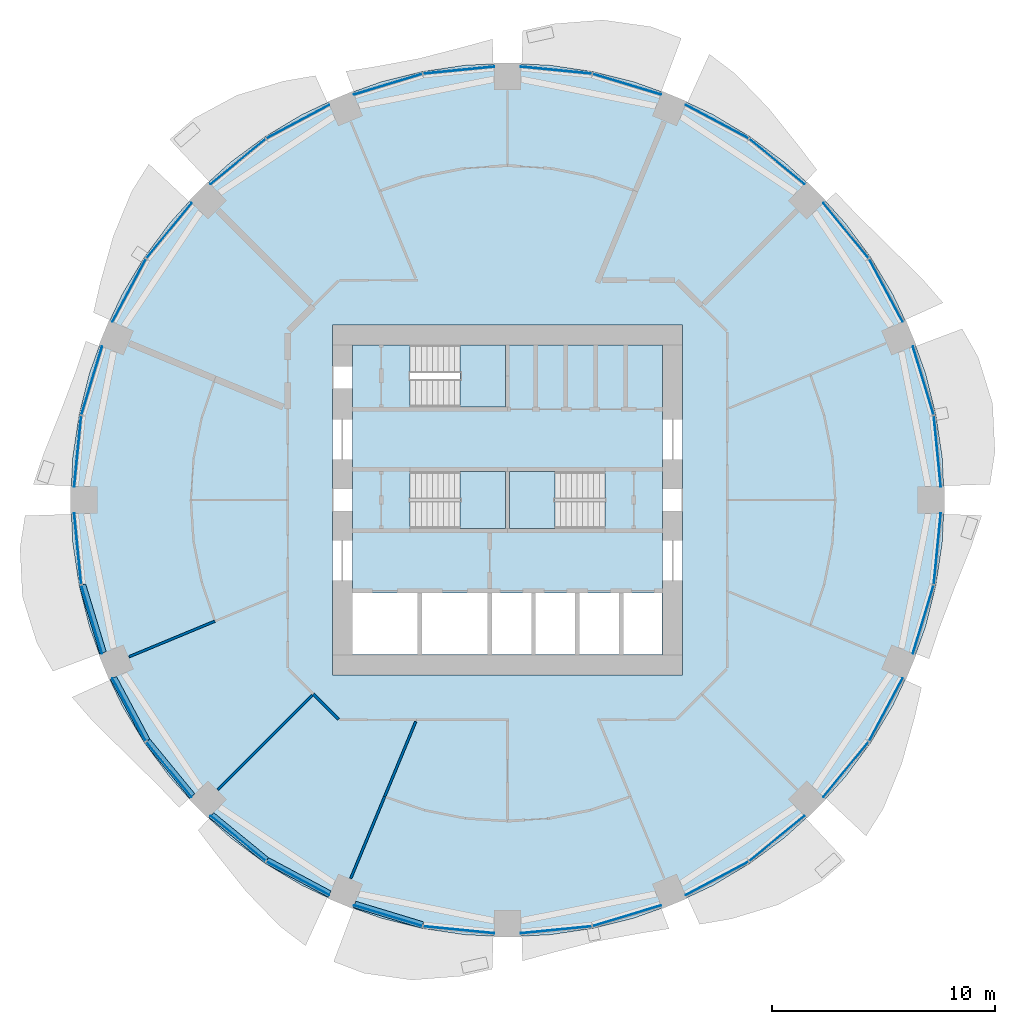
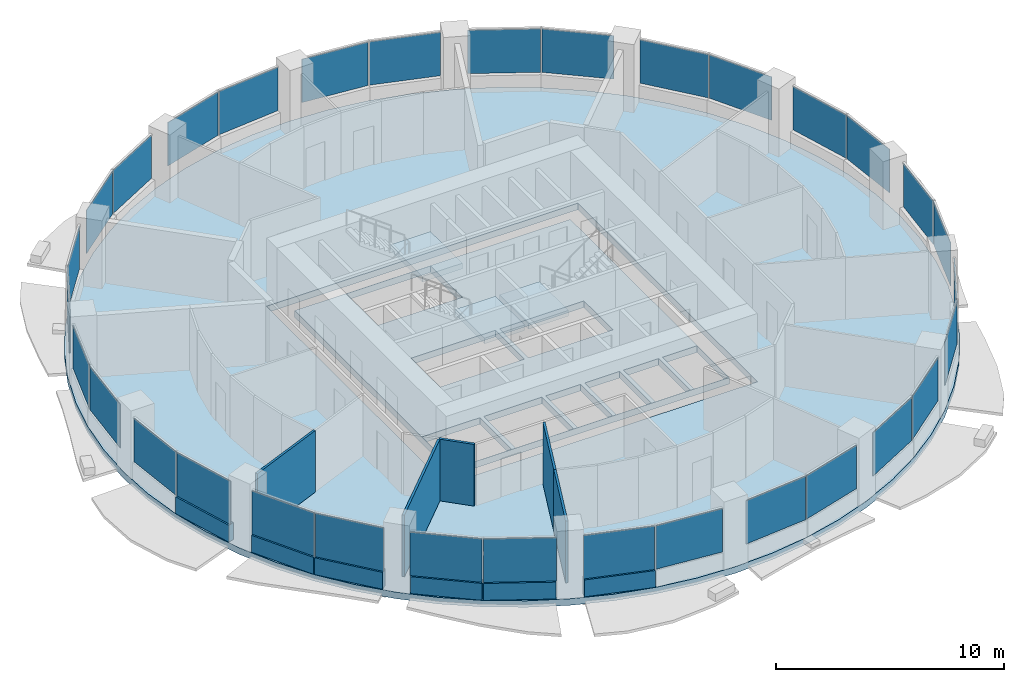
# One storey, part 7 of 15: 32 plates, 11 walls, 5 slabs, 19 elements without a shape of their own.
"""IFC4 building model written with IfcOpenShell, lengths in metres."""

from ifc_helpers import new_model, si_unit, direction, frame, frame_2d, origin, origin_2d, place, context, subcontext, project, spatial, polyline, rectangle, outline, extrude, material, layer, layer_set, type_object, element, aggregate, save


model = new_model("IFC4")

# Units and contexts
model_context = context("Model", 3, precision=1e-05, world=origin(), true_north=direction((0.0, 1.0)))
body_context = subcontext(model_context, "Body", "Model", "MODEL_VIEW")
ifc_project = project(units=[si_unit("LENGTHUNIT", "METRE"), si_unit("AREAUNIT", "SQUARE_METRE"), si_unit("VOLUMEUNIT", "CUBIC_METRE"), si_unit("PLANEANGLEUNIT", "RADIAN"), si_unit("MASSUNIT", "GRAM", prefix="KILO")], contexts=[model_context])

# Site, building, storey
site_placement = place(None, origin())
site = spatial("IfcSite", under=ifc_project, at=site_placement, CompositionType="ELEMENT")
building_placement = place(site_placement, origin())
building = spatial("IfcBuilding", under=site, at=building_placement, Name="Polderwave Tower", CompositionType="ELEMENT")
storey_placement = place(building_placement, frame((0.0, 0.0, 55.39990234375)))
storey = spatial("IfcBuildingStorey", under=building, at=storey_placement, Name="L14", CompositionType="ELEMENT", Elevation=55.39990234375)

# Slab
ifc_material_1 = material(Name="Concrete C40/50", Category="concrete")
ifc_layer_1 = layer(ifc_material_1, 0.35009765625)
ifc_layer_set_1 = layer_set([ifc_layer_1], Name="Core floor slab 350")
slab_type_1 = type_object("IfcSlabType", Name="Core floor slab 350", PredefinedType="FLOOR", material=ifc_layer_set_1)
slab_1_placement = place(storey_placement, frame((0.0, 0.0, -0.349853515625)))
element("IfcSlab", 1, at=slab_1_placement, inside=storey, type_object=slab_type_1, Name="L14 core floor", PredefinedType="FLOOR", context=body_context, shape_type="SweptSolid", body=[
    extrude(outline(polyline([(-6.97412109375, -6.97412109375), (6.97412109375, -6.97412109375), (6.97412109375, 6.97412109375), (-6.97412109375, 6.97412109375), (-6.97412109375, -6.97412109375)]), holes=[polyline([(-6.9541015625, -6.9541015625), (-4.037109375, -6.9541015625), (-4.037109375, -4.174072265625), (-6.9541015625, -4.174072265625), (-6.9541015625, -6.9541015625)]), polyline([(-3.8369140625, -6.9541015625), (-0.89990234375, -6.9541015625), (-0.89990234375, -4.174072265625), (-3.8369140625, -4.174072265625), (-3.8369140625, -6.9541015625)]), polyline([(-0.699951171875, -6.9541015625), (1.068603515625, -6.9541015625), (1.068603515625, -4.174072265625), (-0.699951171875, -4.174072265625), (-0.699951171875, -6.9541015625)]), polyline([(1.2685546875, -6.9541015625), (3.037109375, -6.9541015625), (3.037109375, -4.174072265625), (1.2685546875, -4.174072265625), (1.2685546875, -6.9541015625)]), polyline([(3.237060546875, -6.9541015625), (5.005615234375, -6.9541015625), (5.005615234375, -4.174072265625), (3.237060546875, -4.174072265625), (3.237060546875, -6.9541015625)]), polyline([(5.20556640625, -6.9541015625), (6.9541015625, -6.9541015625), (6.9541015625, -4.174072265625), (5.20556640625, -4.174072265625), (5.20556640625, -6.9541015625)]), polyline([(-4.37353515625, -1.2744140625), (-0.1005859375, -1.2744140625), (-0.1005859375, 1.2744140625), (-4.37353515625, 1.2744140625), (-4.37353515625, -1.2744140625)]), polyline([(0.1005859375, -1.2744140625), (4.37353515625, -1.2744140625), (4.37353515625, 1.2744140625), (0.1005859375, 1.2744140625), (0.1005859375, -1.2744140625)]), polyline([(-4.37353515625, 4.174560546875), (-0.1005859375, 4.174560546875), (-0.1005859375, 6.9541015625), (-4.37353515625, 6.9541015625), (-4.37353515625, 4.174560546875)])]), origin(), (0.0, 0.0, 1.0), 0.349853515625),
])

# Curtain wall, plates
ifc_material_2 = material(Name="Aluminium 6063-T6 and glass", Category="aluminium")
curtain_wall_type = type_object("IfcCurtainWallType", Name="Growing floor ribbon glazing wall", PredefinedType="NOTDEFINED", material=ifc_material_2)
curtain_wall_1_placement = place(storey_placement, origin())
curtain_wall_1 = element("IfcCurtainWall", 2, at=curtain_wall_1_placement, inside=storey, type_object=curtain_wall_type, Name="CW2 L14 00", PredefinedType="NOTDEFINED")
ifc_material_3 = material(Name="Glass, low-e laminated double glazing", Category="glass")
ifc_layer_2 = layer(ifc_material_3, 0.028076171875)
ifc_layer_set_2 = layer_set([ifc_layer_2], Name="Growing floor ribbon glazing glass panel 28 mm")
plate_type = type_object("IfcPlateType", Name="Growing floor ribbon glazing glass panel 28 mm", PredefinedType="CURTAIN_PANEL", material=ifc_layer_set_2)
plate_1_placement = place(storey_placement, frame((19.314453125, 2.190185546875, 0.89990234375), z_axis=(0.0, 0.0, 1.0), x_axis=(-0.097968506312, 0.995189515505, 0.0)))
plate_1 = element("IfcPlate", 3, at=plate_1_placement, type_object=plate_type, Name="CW2 panel 1", PredefinedType="CURTAIN_PANEL", context=body_context, shape_type="SweptSolid", body=[
    extrude(rectangle(XDim=3.195556640625, YDim=0.028076171875, at=origin_2d()), origin(), (0.0, 0.0, 1.0), 2.320068359375),
])
plate_2_placement = place(storey_placement, frame((18.68212890625, 5.367919921875, 0.89990234375), z_axis=(0.0, 0.0, 1.0), x_axis=(-0.290446680162, 0.956891177712, 0.0)))
plate_2 = element("IfcPlate", 4, at=plate_2_placement, type_object=plate_type, Name="CW2 panel 2", PredefinedType="CURTAIN_PANEL", context=body_context, shape_type="SweptSolid", body=[
    extrude(rectangle(XDim=3.196044921875, YDim=0.028076171875, at=origin_2d()), origin(), (0.0, 0.0, 1.0), 2.320068359375),
])
aggregate(curtain_wall_1, [plate_1, plate_2])

curtain_wall_2_placement = place(storey_placement, origin())
curtain_wall_2 = element("IfcCurtainWall", 5, at=curtain_wall_2_placement, inside=storey, type_object=curtain_wall_type, Name="CW2 L14 01", PredefinedType="NOTDEFINED")
plate_3_placement = place(storey_placement, frame((17.006103515625, 9.414794921875, 0.89990234375), z_axis=(0.0, 0.0, 1.0), x_axis=(-0.471361333858, 0.881940186716, 0.0)))
plate_3 = element("IfcPlate", 6, at=plate_3_placement, type_object=plate_type, Name="CW2 panel 1", PredefinedType="CURTAIN_PANEL", context=body_context, shape_type="SweptSolid", body=[
    extrude(rectangle(XDim=3.194580078125, YDim=0.028076171875, at=origin_2d()), origin(), (0.0, 0.0, 1.0), 2.320068359375),
])
plate_4_placement = place(storey_placement, frame((15.2060546875, 12.108642578125, 0.89990234375), z_axis=(0.0, 0.0, 1.0), x_axis=(-0.634435107126, 0.772976128251, 0.0)))
plate_4 = element("IfcPlate", 7, at=plate_4_placement, type_object=plate_type, Name="CW2 panel 2", PredefinedType="CURTAIN_PANEL", context=body_context, shape_type="SweptSolid", body=[
    extrude(rectangle(XDim=3.196533203125, YDim=0.028076171875, at=origin_2d()), origin(), (0.0, 0.0, 1.0), 2.320068359375),
])
aggregate(curtain_wall_2, [plate_3, plate_4])

curtain_wall_3_placement = place(storey_placement, origin())
curtain_wall_3 = element("IfcCurtainWall", 8, at=curtain_wall_3_placement, inside=storey, type_object=curtain_wall_type, Name="CW2 L14 02", PredefinedType="NOTDEFINED")
plate_5_placement = place(storey_placement, frame((12.108642578125, 15.2060546875, 0.89990234375), z_axis=(0.0, 0.0, 1.0), x_axis=(-0.772976128251, 0.634435107126, 0.0)))
plate_5 = element("IfcPlate", 9, at=plate_5_placement, type_object=plate_type, Name="CW2 panel 1", PredefinedType="CURTAIN_PANEL", context=body_context, shape_type="SweptSolid", body=[
    extrude(rectangle(XDim=3.196533203125, YDim=0.028076171875, at=origin_2d()), origin(), (0.0, 0.0, 1.0), 2.320068359375),
])
plate_6_placement = place(storey_placement, frame((9.414794921875, 17.006103515625, 0.89990234375), z_axis=(0.0, 0.0, 1.0), x_axis=(-0.881940186716, 0.471361333858, 0.0)))
plate_6 = element("IfcPlate", 10, at=plate_6_placement, type_object=plate_type, Name="CW2 panel 2", PredefinedType="CURTAIN_PANEL", context=body_context, shape_type="SweptSolid", body=[
    extrude(rectangle(XDim=3.194580078125, YDim=0.028076171875, at=origin_2d()), origin(), (0.0, 0.0, 1.0), 2.320068359375),
])
aggregate(curtain_wall_3, [plate_5, plate_6])

curtain_wall_4_placement = place(storey_placement, origin())
curtain_wall_4 = element("IfcCurtainWall", 11, at=curtain_wall_4_placement, inside=storey, type_object=curtain_wall_type, Name="CW2 L14 03", PredefinedType="NOTDEFINED")
plate_7_placement = place(storey_placement, frame((5.367919921875, 18.68212890625, 0.89990234375), z_axis=(0.0, 0.0, 1.0), x_axis=(-0.956891177712, 0.290446680162, 0.0)))
plate_7 = element("IfcPlate", 12, at=plate_7_placement, type_object=plate_type, Name="CW2 panel 1", PredefinedType="CURTAIN_PANEL", context=body_context, shape_type="SweptSolid", body=[
    extrude(rectangle(XDim=3.196044921875, YDim=0.028076171875, at=origin_2d()), origin(), (0.0, 0.0, 1.0), 2.320068359375),
])
plate_8_placement = place(storey_placement, frame((2.190185546875, 19.314453125, 0.89990234375), z_axis=(0.0, 0.0, 1.0), x_axis=(-0.995189515505, 0.097968506312, 0.0)))
plate_8 = element("IfcPlate", 13, at=plate_8_placement, type_object=plate_type, Name="CW2 panel 2", PredefinedType="CURTAIN_PANEL", context=body_context, shape_type="SweptSolid", body=[
    extrude(rectangle(XDim=3.195556640625, YDim=0.028076171875, at=origin_2d()), origin(), (0.0, 0.0, 1.0), 2.320068359375),
])
aggregate(curtain_wall_4, [plate_7, plate_8])

curtain_wall_5_placement = place(storey_placement, origin())
curtain_wall_5 = element("IfcCurtainWall", 14, at=curtain_wall_5_placement, inside=storey, type_object=curtain_wall_type, Name="CW2 L14 04", PredefinedType="NOTDEFINED")
plate_9_placement = place(storey_placement, frame((-2.190185546875, 19.314453125, 0.89990234375), z_axis=(0.0, 0.0, 1.0), x_axis=(-0.995189515505, -0.097968506312, 0.0)))
plate_9 = element("IfcPlate", 15, at=plate_9_placement, type_object=plate_type, Name="CW2 panel 1", PredefinedType="CURTAIN_PANEL", context=body_context, shape_type="SweptSolid", body=[
    extrude(rectangle(XDim=3.195556640625, YDim=0.028076171875, at=origin_2d()), origin(), (0.0, 0.0, 1.0), 2.320068359375),
])
plate_10_placement = place(storey_placement, frame((-5.367919921875, 18.68212890625, 0.89990234375), z_axis=(0.0, 0.0, 1.0), x_axis=(-0.956891177712, -0.290446680162, 0.0)))
plate_10 = element("IfcPlate", 16, at=plate_10_placement, type_object=plate_type, Name="CW2 panel 2", PredefinedType="CURTAIN_PANEL", context=body_context, shape_type="SweptSolid", body=[
    extrude(rectangle(XDim=3.196044921875, YDim=0.028076171875, at=origin_2d()), origin(), (0.0, 0.0, 1.0), 2.320068359375),
])
aggregate(curtain_wall_5, [plate_9, plate_10])

curtain_wall_6_placement = place(storey_placement, origin())
curtain_wall_6 = element("IfcCurtainWall", 17, at=curtain_wall_6_placement, inside=storey, type_object=curtain_wall_type, Name="CW2 L14 05", PredefinedType="NOTDEFINED")
plate_11_placement = place(storey_placement, frame((-9.414794921875, 17.006103515625, 0.89990234375), z_axis=(0.0, 0.0, 1.0), x_axis=(-0.881940186716, -0.471361333858, 0.0)))
plate_11 = element("IfcPlate", 18, at=plate_11_placement, type_object=plate_type, Name="CW2 panel 1", PredefinedType="CURTAIN_PANEL", context=body_context, shape_type="SweptSolid", body=[
    extrude(rectangle(XDim=3.194580078125, YDim=0.028076171875, at=origin_2d()), origin(), (0.0, 0.0, 1.0), 2.320068359375),
])
plate_12_placement = place(storey_placement, frame((-12.108642578125, 15.2060546875, 0.89990234375), z_axis=(0.0, 0.0, 1.0), x_axis=(-0.772976128251, -0.634435107126, 0.0)))
plate_12 = element("IfcPlate", 19, at=plate_12_placement, type_object=plate_type, Name="CW2 panel 2", PredefinedType="CURTAIN_PANEL", context=body_context, shape_type="SweptSolid", body=[
    extrude(rectangle(XDim=3.196533203125, YDim=0.028076171875, at=origin_2d()), origin(), (0.0, 0.0, 1.0), 2.320068359375),
])
aggregate(curtain_wall_6, [plate_11, plate_12])

curtain_wall_7_placement = place(storey_placement, origin())
curtain_wall_7 = element("IfcCurtainWall", 20, at=curtain_wall_7_placement, inside=storey, type_object=curtain_wall_type, Name="CW2 L14 06", PredefinedType="NOTDEFINED")
plate_13_placement = place(storey_placement, frame((-15.2060546875, 12.108642578125, 0.89990234375), z_axis=(0.0, 0.0, 1.0), x_axis=(-0.634435107126, -0.772976128251, 0.0)))
plate_13 = element("IfcPlate", 21, at=plate_13_placement, type_object=plate_type, Name="CW2 panel 1", PredefinedType="CURTAIN_PANEL", context=body_context, shape_type="SweptSolid", body=[
    extrude(rectangle(XDim=3.196533203125, YDim=0.028076171875, at=origin_2d()), origin(), (0.0, 0.0, 1.0), 2.320068359375),
])
plate_14_placement = place(storey_placement, frame((-17.006103515625, 9.414794921875, 0.89990234375), z_axis=(0.0, 0.0, 1.0), x_axis=(-0.471361333858, -0.881940186716, 0.0)))
plate_14 = element("IfcPlate", 22, at=plate_14_placement, type_object=plate_type, Name="CW2 panel 2", PredefinedType="CURTAIN_PANEL", context=body_context, shape_type="SweptSolid", body=[
    extrude(rectangle(XDim=3.194580078125, YDim=0.028076171875, at=origin_2d()), origin(), (0.0, 0.0, 1.0), 2.320068359375),
])
aggregate(curtain_wall_7, [plate_13, plate_14])

curtain_wall_8_placement = place(storey_placement, origin())
curtain_wall_8 = element("IfcCurtainWall", 23, at=curtain_wall_8_placement, inside=storey, type_object=curtain_wall_type, Name="CW2 L14 07", PredefinedType="NOTDEFINED")
plate_15_placement = place(storey_placement, frame((-18.68212890625, 5.367919921875, 0.89990234375), z_axis=(0.0, 0.0, 1.0), x_axis=(-0.290446680162, -0.956891177712, 0.0)))
plate_15 = element("IfcPlate", 24, at=plate_15_placement, type_object=plate_type, Name="CW2 panel 1", PredefinedType="CURTAIN_PANEL", context=body_context, shape_type="SweptSolid", body=[
    extrude(rectangle(XDim=3.196044921875, YDim=0.028076171875, at=origin_2d()), origin(), (0.0, 0.0, 1.0), 2.320068359375),
])
plate_16_placement = place(storey_placement, frame((-19.314453125, 2.190185546875, 0.89990234375), z_axis=(0.0, 0.0, 1.0), x_axis=(-0.097968506312, -0.995189515505, 0.0)))
plate_16 = element("IfcPlate", 25, at=plate_16_placement, type_object=plate_type, Name="CW2 panel 2", PredefinedType="CURTAIN_PANEL", context=body_context, shape_type="SweptSolid", body=[
    extrude(rectangle(XDim=3.195556640625, YDim=0.028076171875, at=origin_2d()), origin(), (0.0, 0.0, 1.0), 2.320068359375),
])
aggregate(curtain_wall_8, [plate_15, plate_16])

curtain_wall_9_placement = place(storey_placement, origin())
curtain_wall_9 = element("IfcCurtainWall", 26, at=curtain_wall_9_placement, inside=storey, type_object=curtain_wall_type, Name="CW2 L14 08", PredefinedType="NOTDEFINED")
plate_17_placement = place(storey_placement, frame((-19.314453125, -2.190185546875, 0.89990234375), z_axis=(0.0, 0.0, 1.0), x_axis=(0.097968506312, -0.995189515505, 0.0)))
plate_17 = element("IfcPlate", 27, at=plate_17_placement, type_object=plate_type, Name="CW2 panel 1", PredefinedType="CURTAIN_PANEL", context=body_context, shape_type="SweptSolid", body=[
    extrude(rectangle(XDim=3.195556640625, YDim=0.028076171875, at=origin_2d()), origin(), (0.0, 0.0, 1.0), 2.320068359375),
])
plate_18_placement = place(storey_placement, frame((-18.68212890625, -5.367919921875, 0.89990234375), z_axis=(0.0, 0.0, 1.0), x_axis=(0.290446680162, -0.956891177712, 0.0)))
plate_18 = element("IfcPlate", 28, at=plate_18_placement, type_object=plate_type, Name="CW2 panel 2", PredefinedType="CURTAIN_PANEL", context=body_context, shape_type="SweptSolid", body=[
    extrude(rectangle(XDim=3.196044921875, YDim=0.028076171875, at=origin_2d()), origin(), (0.0, 0.0, 1.0), 2.320068359375),
])
aggregate(curtain_wall_9, [plate_17, plate_18])

curtain_wall_10_placement = place(storey_placement, origin())
curtain_wall_10 = element("IfcCurtainWall", 29, at=curtain_wall_10_placement, inside=storey, type_object=curtain_wall_type, Name="CW2 L14 09", PredefinedType="NOTDEFINED")
plate_19_placement = place(storey_placement, frame((-17.006103515625, -9.414794921875, 0.89990234375), z_axis=(0.0, 0.0, 1.0), x_axis=(0.471361333858, -0.881940186716, 0.0)))
plate_19 = element("IfcPlate", 30, at=plate_19_placement, type_object=plate_type, Name="CW2 panel 1", PredefinedType="CURTAIN_PANEL", context=body_context, shape_type="SweptSolid", body=[
    extrude(rectangle(XDim=3.194580078125, YDim=0.028076171875, at=origin_2d()), origin(), (0.0, 0.0, 1.0), 2.320068359375),
])
plate_20_placement = place(storey_placement, frame((-15.2060546875, -12.108642578125, 0.89990234375), z_axis=(0.0, 0.0, 1.0), x_axis=(0.634435107126, -0.772976128251, 0.0)))
plate_20 = element("IfcPlate", 31, at=plate_20_placement, type_object=plate_type, Name="CW2 panel 2", PredefinedType="CURTAIN_PANEL", context=body_context, shape_type="SweptSolid", body=[
    extrude(rectangle(XDim=3.196533203125, YDim=0.028076171875, at=origin_2d()), origin(), (0.0, 0.0, 1.0), 2.320068359375),
])
aggregate(curtain_wall_10, [plate_19, plate_20])

curtain_wall_11_placement = place(storey_placement, origin())
curtain_wall_11 = element("IfcCurtainWall", 32, at=curtain_wall_11_placement, inside=storey, type_object=curtain_wall_type, Name="CW2 L14 10", PredefinedType="NOTDEFINED")
plate_21_placement = place(storey_placement, frame((-12.108642578125, -15.2060546875, 0.89990234375), z_axis=(0.0, 0.0, 1.0), x_axis=(0.772976128251, -0.634435107126, 0.0)))
plate_21 = element("IfcPlate", 33, at=plate_21_placement, type_object=plate_type, Name="CW2 panel 1", PredefinedType="CURTAIN_PANEL", context=body_context, shape_type="SweptSolid", body=[
    extrude(rectangle(XDim=3.196533203125, YDim=0.028076171875, at=origin_2d()), origin(), (0.0, 0.0, 1.0), 2.320068359375),
])
plate_22_placement = place(storey_placement, frame((-9.414794921875, -17.006103515625, 0.89990234375), z_axis=(0.0, 0.0, 1.0), x_axis=(0.881940186716, -0.471361333858, 0.0)))
plate_22 = element("IfcPlate", 34, at=plate_22_placement, type_object=plate_type, Name="CW2 panel 2", PredefinedType="CURTAIN_PANEL", context=body_context, shape_type="SweptSolid", body=[
    extrude(rectangle(XDim=3.194580078125, YDim=0.028076171875, at=origin_2d()), origin(), (0.0, 0.0, 1.0), 2.320068359375),
])
aggregate(curtain_wall_11, [plate_21, plate_22])

curtain_wall_12_placement = place(storey_placement, origin())
curtain_wall_12 = element("IfcCurtainWall", 35, at=curtain_wall_12_placement, inside=storey, type_object=curtain_wall_type, Name="CW2 L14 11", PredefinedType="NOTDEFINED")
plate_23_placement = place(storey_placement, frame((-5.367919921875, -18.68212890625, 0.89990234375), z_axis=(0.0, 0.0, 1.0), x_axis=(0.956891177712, -0.290446680162, 0.0)))
plate_23 = element("IfcPlate", 36, at=plate_23_placement, type_object=plate_type, Name="CW2 panel 1", PredefinedType="CURTAIN_PANEL", context=body_context, shape_type="SweptSolid", body=[
    extrude(rectangle(XDim=3.196044921875, YDim=0.028076171875, at=origin_2d()), origin(), (0.0, 0.0, 1.0), 2.320068359375),
])
plate_24_placement = place(storey_placement, frame((-2.190185546875, -19.314453125, 0.89990234375), z_axis=(0.0, 0.0, 1.0), x_axis=(0.995189515505, -0.097968506312, 0.0)))
plate_24 = element("IfcPlate", 37, at=plate_24_placement, type_object=plate_type, Name="CW2 panel 2", PredefinedType="CURTAIN_PANEL", context=body_context, shape_type="SweptSolid", body=[
    extrude(rectangle(XDim=3.195556640625, YDim=0.028076171875, at=origin_2d()), origin(), (0.0, 0.0, 1.0), 2.320068359375),
])
aggregate(curtain_wall_12, [plate_23, plate_24])

curtain_wall_13_placement = place(storey_placement, origin())
curtain_wall_13 = element("IfcCurtainWall", 38, at=curtain_wall_13_placement, inside=storey, type_object=curtain_wall_type, Name="CW2 L14 12", PredefinedType="NOTDEFINED")
plate_25_placement = place(storey_placement, frame((2.190185546875, -19.314453125, 0.89990234375), z_axis=(0.0, 0.0, 1.0), x_axis=(0.995189515505, 0.097968506312, 0.0)))
plate_25 = element("IfcPlate", 39, at=plate_25_placement, type_object=plate_type, Name="CW2 panel 1", PredefinedType="CURTAIN_PANEL", context=body_context, shape_type="SweptSolid", body=[
    extrude(rectangle(XDim=3.195556640625, YDim=0.028076171875, at=origin_2d()), origin(), (0.0, 0.0, 1.0), 2.320068359375),
])
plate_26_placement = place(storey_placement, frame((5.367919921875, -18.68212890625, 0.89990234375), z_axis=(0.0, 0.0, 1.0), x_axis=(0.956891177712, 0.290446680162, 0.0)))
plate_26 = element("IfcPlate", 40, at=plate_26_placement, type_object=plate_type, Name="CW2 panel 2", PredefinedType="CURTAIN_PANEL", context=body_context, shape_type="SweptSolid", body=[
    extrude(rectangle(XDim=3.196044921875, YDim=0.028076171875, at=origin_2d()), origin(), (0.0, 0.0, 1.0), 2.320068359375),
])
aggregate(curtain_wall_13, [plate_25, plate_26])

curtain_wall_14_placement = place(storey_placement, origin())
curtain_wall_14 = element("IfcCurtainWall", 41, at=curtain_wall_14_placement, inside=storey, type_object=curtain_wall_type, Name="CW2 L14 13", PredefinedType="NOTDEFINED")
plate_27_placement = place(storey_placement, frame((9.414794921875, -17.006103515625, 0.89990234375), z_axis=(0.0, 0.0, 1.0), x_axis=(0.881940186716, 0.471361333858, 0.0)))
plate_27 = element("IfcPlate", 42, at=plate_27_placement, type_object=plate_type, Name="CW2 panel 1", PredefinedType="CURTAIN_PANEL", context=body_context, shape_type="SweptSolid", body=[
    extrude(rectangle(XDim=3.194580078125, YDim=0.028076171875, at=origin_2d()), origin(), (0.0, 0.0, 1.0), 2.320068359375),
])
plate_28_placement = place(storey_placement, frame((12.108642578125, -15.2060546875, 0.89990234375), z_axis=(0.0, 0.0, 1.0), x_axis=(0.772976128251, 0.634435107126, 0.0)))
plate_28 = element("IfcPlate", 43, at=plate_28_placement, type_object=plate_type, Name="CW2 panel 2", PredefinedType="CURTAIN_PANEL", context=body_context, shape_type="SweptSolid", body=[
    extrude(rectangle(XDim=3.196533203125, YDim=0.028076171875, at=origin_2d()), origin(), (0.0, 0.0, 1.0), 2.320068359375),
])
aggregate(curtain_wall_14, [plate_27, plate_28])

curtain_wall_15_placement = place(storey_placement, origin())
curtain_wall_15 = element("IfcCurtainWall", 44, at=curtain_wall_15_placement, inside=storey, type_object=curtain_wall_type, Name="CW2 L14 14", PredefinedType="NOTDEFINED")
plate_29_placement = place(storey_placement, frame((15.2060546875, -12.108642578125, 0.89990234375), z_axis=(0.0, 0.0, 1.0), x_axis=(0.634435107126, 0.772976128251, 0.0)))
plate_29 = element("IfcPlate", 45, at=plate_29_placement, type_object=plate_type, Name="CW2 panel 1", PredefinedType="CURTAIN_PANEL", context=body_context, shape_type="SweptSolid", body=[
    extrude(rectangle(XDim=3.196533203125, YDim=0.028076171875, at=origin_2d()), origin(), (0.0, 0.0, 1.0), 2.320068359375),
])
plate_30_placement = place(storey_placement, frame((17.006103515625, -9.414794921875, 0.89990234375), z_axis=(0.0, 0.0, 1.0), x_axis=(0.471361333858, 0.881940186716, 0.0)))
plate_30 = element("IfcPlate", 46, at=plate_30_placement, type_object=plate_type, Name="CW2 panel 2", PredefinedType="CURTAIN_PANEL", context=body_context, shape_type="SweptSolid", body=[
    extrude(rectangle(XDim=3.194580078125, YDim=0.028076171875, at=origin_2d()), origin(), (0.0, 0.0, 1.0), 2.320068359375),
])
aggregate(curtain_wall_15, [plate_29, plate_30])

curtain_wall_16_placement = place(storey_placement, origin())
curtain_wall_16 = element("IfcCurtainWall", 47, at=curtain_wall_16_placement, inside=storey, type_object=curtain_wall_type, Name="CW2 L14 15", PredefinedType="NOTDEFINED")
plate_31_placement = place(storey_placement, frame((18.68212890625, -5.367919921875, 0.89990234375), z_axis=(0.0, 0.0, 1.0), x_axis=(0.290446680162, 0.956891177712, 0.0)))
plate_31 = element("IfcPlate", 48, at=plate_31_placement, type_object=plate_type, Name="CW2 panel 1", PredefinedType="CURTAIN_PANEL", context=body_context, shape_type="SweptSolid", body=[
    extrude(rectangle(XDim=3.196044921875, YDim=0.028076171875, at=origin_2d()), origin(), (0.0, 0.0, 1.0), 2.320068359375),
])
plate_32_placement = place(storey_placement, frame((19.314453125, -2.190185546875, 0.89990234375), z_axis=(0.0, 0.0, 1.0), x_axis=(0.097968506312, 0.995189515505, 0.0)))
plate_32 = element("IfcPlate", 49, at=plate_32_placement, type_object=plate_type, Name="CW2 panel 2", PredefinedType="CURTAIN_PANEL", context=body_context, shape_type="SweptSolid", body=[
    extrude(rectangle(XDim=3.195556640625, YDim=0.028076171875, at=origin_2d()), origin(), (0.0, 0.0, 1.0), 2.320068359375),
])
aggregate(curtain_wall_16, [plate_31, plate_32])

# Slab
ifc_layer_3 = layer(ifc_material_1, 0.35009765625)
ifc_layer_set_3 = layer_set([ifc_layer_3], Name="PT FLOOR SLAB 350 C40/50")
slab_type_2 = type_object("IfcSlabType", Name="PT FLOOR SLAB 350 C40/50", PredefinedType="FLOOR", material=ifc_layer_set_3)
slab_2_placement = place(storey_placement, frame((0.0, 0.0, -0.349853515625)))
element("IfcSlab", 50, at=slab_2_placement, inside=storey, type_object=slab_type_2, Name="ST-SLAB-L14", PredefinedType="FLOOR", context=body_context, shape_type="SweptSolid", body=[
    extrude(outline(polyline([(19.6298828125, 0.0), (19.535400390625, 1.924072265625), (19.252685546875, 3.82958984375), (18.78466796875, 5.6982421875), (18.1357421875, 7.51220703125), (17.31201171875, 9.25341796875), (16.32177734375, 10.90576171875), (15.17431640625, 12.453125), (13.880615234375, 13.880615234375), (12.453125, 15.17431640625), (10.90576171875, 16.32177734375), (9.25341796875, 17.31201171875), (7.51220703125, 18.1357421875), (5.6982421875, 18.78466796875), (3.82958984375, 19.252685546875), (1.924072265625, 19.535400390625), (0.0, 19.6298828125), (-1.924072265625, 19.535400390625), (-3.82958984375, 19.252685546875), (-5.6982421875, 18.78466796875), (-7.51220703125, 18.1357421875), (-9.25341796875, 17.31201171875), (-10.90576171875, 16.32177734375), (-12.453125, 15.17431640625), (-13.880615234375, 13.880615234375), (-15.17431640625, 12.453125), (-16.32177734375, 10.90576171875), (-17.31201171875, 9.25341796875), (-18.1357421875, 7.51220703125), (-18.78466796875, 5.6982421875), (-19.252685546875, 3.82958984375), (-19.535400390625, 1.924072265625), (-19.6298828125, 0.0), (-19.535400390625, -1.924072265625), (-19.252685546875, -3.82958984375), (-18.78466796875, -5.6982421875), (-18.1357421875, -7.51220703125), (-17.31201171875, -9.25341796875), (-16.32177734375, -10.90576171875), (-15.17431640625, -12.453125), (-13.880615234375, -13.880615234375), (-12.453125, -15.17431640625), (-10.90576171875, -16.32177734375), (-9.25341796875, -17.31201171875), (-7.51220703125, -18.1357421875), (-5.6982421875, -18.78466796875), (-3.82958984375, -19.252685546875), (-1.924072265625, -19.535400390625), (0.0, -19.6298828125), (1.924072265625, -19.535400390625), (3.82958984375, -19.252685546875), (5.6982421875, -18.78466796875), (7.51220703125, -18.1357421875), (9.25341796875, -17.31201171875), (10.90576171875, -16.32177734375), (12.453125, -15.17431640625), (13.880615234375, -13.880615234375), (15.17431640625, -12.453125), (16.32177734375, -10.90576171875), (17.31201171875, -9.25341796875), (18.1357421875, -7.51220703125), (18.78466796875, -5.6982421875), (19.252685546875, -3.82958984375), (19.535400390625, -1.924072265625), (19.6298828125, 0.0)]), holes=[polyline([(-7.8740234375, -7.8740234375), (7.8740234375, -7.8740234375), (7.8740234375, 7.8740234375), (-7.8740234375, 7.8740234375), (-7.8740234375, -7.8740234375)])]), origin(), (0.0, 0.0, 1.0), 0.349853515625),
])

# Stair, slab
stair_type = type_object("IfcStairType", Name="Exit stair 1200 x 20 risers", PredefinedType="HALF_TURN_STAIR", material=ifc_material_1)
stair_1_placement = place(storey_placement, origin())
stair_1 = element("IfcStair", 51, at=stair_1_placement, inside=storey, type_object=stair_type, Name="L14 Exit stair A", PredefinedType="HALF_TURN_STAIR")
ifc_layer_4 = layer(ifc_material_1, 0.300048828125)
ifc_layer_set_4 = layer_set([ifc_layer_4], Name="Stair landing 300")
slab_type_3 = type_object("IfcSlabType", Name="Stair landing 300", PredefinedType="LANDING", material=ifc_layer_set_4)
slab_3_placement = place(storey_placement, frame((0.0, 0.0, 1.525146484375)))
slab_3 = element("IfcSlab", 52, at=slab_3_placement, type_object=slab_type_3, Name="ST-A landing 1", PredefinedType="LANDING", context=body_context, shape_type="SweptSolid", body=[
    extrude(outline(polyline([(-2.1240234375, -1.27490234375), (-0.10009765625, -1.27490234375), (-0.10009765625, 1.27490234375), (-2.1240234375, 1.27490234375), (-2.1240234375, -1.27490234375)])), origin(), (0.0, 0.0, 1.0), 0.300048828125),
])
aggregate(stair_1, [slab_3])

stair_2_placement = place(storey_placement, origin())
stair_2 = element("IfcStair", 53, at=stair_2_placement, inside=storey, type_object=stair_type, Name="L14 Exit stair B", PredefinedType="HALF_TURN_STAIR")
slab_4_placement = place(storey_placement, frame((0.0, 0.0, 1.525146484375)))
slab_4 = element("IfcSlab", 54, at=slab_4_placement, type_object=slab_type_3, Name="ST-B landing 1", PredefinedType="LANDING", context=body_context, shape_type="SweptSolid", body=[
    extrude(outline(polyline([(2.1240234375, 1.27490234375), (0.10009765625, 1.27490234375), (0.10009765625, -1.27490234375), (2.1240234375, -1.27490234375), (2.1240234375, 1.27490234375)])), origin(), (0.0, 0.0, 1.0), 0.300048828125),
])
aggregate(stair_2, [slab_4])

stair_3_placement = place(storey_placement, origin())
stair_3 = element("IfcStair", 55, at=stair_3_placement, inside=storey, type_object=stair_type, Name="L14 Exit stair C", PredefinedType="HALF_TURN_STAIR")
slab_5_placement = place(storey_placement, frame((0.0, 0.0, 1.525146484375)))
slab_5 = element("IfcSlab", 56, at=slab_5_placement, type_object=slab_type_3, Name="ST-C landing 1", PredefinedType="LANDING", context=body_context, shape_type="SweptSolid", body=[
    extrude(outline(polyline([(-2.1240234375, 4.174072265625), (-0.10009765625, 4.174072265625), (-0.10009765625, 6.97412109375), (-2.1240234375, 6.97412109375), (-2.1240234375, 4.174072265625)])), origin(), (0.0, 0.0, 1.0), 0.300048828125),
])
aggregate(stair_3, [slab_5])

# Walls
ifc_material_4 = material(Name="Concrete C50/60 (board-marked)", Category="concrete")
ifc_layer_5 = layer(ifc_material_4, 0.300048828125)
ifc_layer_set_5 = layer_set([ifc_layer_5], Name="Concrete spandrel upstand C50/60")
wall_type_1 = type_object("IfcWallType", Name="Concrete spandrel upstand C50/60", PredefinedType="SOLIDWALL", material=ifc_layer_set_5)
wall_1_placement = place(storey_placement, frame((-19.1015625, -3.814453125, 0.0), z_axis=(0.0, 0.0, 1.0), x_axis=(0.290585541792, -0.956849017819, 0.0)))
element("IfcWall", 57, at=wall_1_placement, inside=storey, type_object=wall_type_1, Name="Spandrel L14 9b", PredefinedType="SOLIDWALL", context=body_context, shape_type="SweptSolid", body=[
    extrude(rectangle(XDim=3.1875, YDim=0.300048828125, at=frame_2d((1.59375, 0.0))), origin(), (0.0, 0.0, 1.0), 0.900146484375),
])
wall_2_placement = place(storey_placement, frame((-17.705810546875, -7.998291015625, 0.0), z_axis=(0.0, 0.0, 1.0), x_axis=(0.471260138764, -0.881994263934, 0.0)))
element("IfcWall", 58, at=wall_2_placement, inside=storey, type_object=wall_type_1, Name="Spandrel L14 10a", PredefinedType="SOLIDWALL", context=body_context, shape_type="SweptSolid", body=[
    extrude(rectangle(XDim=3.1865234375, YDim=0.300048828125, at=frame_2d((1.59326171875, 0.0))), origin(), (0.0, 0.0, 1.0), 0.900146484375),
])
for number, where, z_axis, x_axis, name in (
    (59, (-16.1875, -10.83349609375, 0.0), (0.0, 0.0, 1.0), (0.634229767652, -0.773144618958, 0.0), "Spandrel L14 10b"),
    (60, (-13.29833984375, -14.16552734375, 0.0), (0.0, 0.0, 1.0), (0.773144618958, -0.634229767652, 0.0), "Spandrel L14 11a"),
):
    element("IfcWall", number, at=place(storey_placement, frame(where, z_axis=z_axis, x_axis=x_axis)), inside=storey, type_object=wall_type_1, Name=name, PredefinedType="SOLIDWALL", context=body_context, shape_type="SweptSolid", body=[
        extrude(rectangle(XDim=3.18798828125, YDim=0.300048828125, at=frame_2d((1.593994140625, 0.0))), origin(), (0.0, 0.0, 1.0), 0.900146484375),
    ])
wall_3_placement = place(storey_placement, frame((-10.808837890625, -16.2041015625, 0.0), z_axis=(0.0, 0.0, 1.0), x_axis=(0.881994263934, -0.471260138764, 0.0)))
element("IfcWall", 61, at=wall_3_placement, inside=storey, type_object=wall_type_1, Name="Spandrel L14 11b", PredefinedType="SOLIDWALL", context=body_context, shape_type="SweptSolid", body=[
    extrude(rectangle(XDim=3.1865234375, YDim=0.300048828125, at=frame_2d((1.59326171875, 0.0))), origin(), (0.0, 0.0, 1.0), 0.900146484375),
])
wall_4_placement = place(storey_placement, frame((-6.864501953125, -18.17529296875, 0.0), z_axis=(0.0, 0.0, 1.0), x_axis=(0.956849017819, -0.290585541792, 0.0)))
element("IfcWall", 62, at=wall_4_placement, inside=storey, type_object=wall_type_1, Name="Spandrel L14 12a", PredefinedType="SOLIDWALL", context=body_context, shape_type="SweptSolid", body=[
    extrude(rectangle(XDim=3.1875, YDim=0.300048828125, at=frame_2d((1.59375, 0.0))), origin(), (0.0, 0.0, 1.0), 0.900146484375),
])
ifc_material_5 = material(Name="Fire-resisting board on steel studs", Category="steel")
ifc_layer_6 = layer(ifc_material_5, 0.125)
ifc_layer_set_6 = layer_set([ifc_layer_6], Name="Corridor wall 125 mm EI 60")
wall_type_2 = type_object("IfcWallType", Name="Corridor wall 125 mm EI 60", PredefinedType="PARTITIONING", material=ifc_layer_set_6)
wall_5_placement = place(storey_placement, frame((-7.58935546875, -9.855712890625, 0.0), z_axis=(0.0, 0.0, 1.0), x_axis=(-0.707030604857, 0.70718294931, 0.0)))
element("IfcWall", 63, at=wall_5_placement, inside=storey, type_object=wall_type_2, Name="IN-L14-W017", PredefinedType="PARTITIONING", context=body_context, shape_type="SweptSolid", body=[
    extrude(rectangle(XDim=1.6025390625, YDim=0.125, at=frame_2d((0.80126953125, 0.0))), origin(), (0.0, 0.0, 1.0), 3.300048828125),
])
ifc_material_6 = material(Name="Acoustic double plasterboard on steel studs", Category="steel")
ifc_layer_7 = layer(ifc_material_6, 0.110107421875)
ifc_layer_set_7 = layer_set([ifc_layer_7], Name="Partition 110 mm acoustic double board")
wall_type_3 = type_object("IfcWallType", Name="Partition 110 mm acoustic double board", PredefinedType="PARTITIONING", material=ifc_layer_set_7)
wall_6_placement = place(storey_placement, frame((-13.146728515625, -5.445556640625, 0.0), z_axis=(0.0, 0.0, 1.0), x_axis=(-0.923873410436, -0.382698212028, 0.0)))
element("IfcWall", 64, at=wall_6_placement, inside=storey, type_object=wall_type_3, Name="IN-L14-W054", PredefinedType="PARTITIONING", context=body_context, shape_type="SweptSolid", body=[
    extrude(rectangle(XDim=4.170166015625, YDim=0.110107421875, at=frame_2d((2.0849609375, 0.0))), origin(), (0.0, 0.0, 1.0), 3.300048828125),
])
wall_7_placement = place(storey_placement, frame((-13.0107421875, -13.0107421875, 0.0), z_axis=(0.0, 0.0, 1.0), x_axis=(0.707106781187, 0.707106781187, 0.0)))
element("IfcWall", 65, at=wall_7_placement, inside=storey, type_object=wall_type_3, Name="IN-L14-W056", PredefinedType="PARTITIONING", context=body_context, shape_type="SweptSolid", body=[
    extrude(rectangle(XDim=6.002197265625, YDim=0.110107421875, at=frame_2d((3.0009765625, 0.0))), origin(), (0.0, 0.0, 1.0), 3.300048828125),
])
wall_8_placement = place(storey_placement, frame((-4.12451171875, -9.95751953125, 0.0), z_axis=(0.0, 0.0, 1.0), x_axis=(-0.382715874613, -0.923866093825, 0.0)))
element("IfcWall", 66, at=wall_8_placement, inside=storey, type_object=wall_type_3, Name="IN-L14-W057", PredefinedType="PARTITIONING", context=body_context, shape_type="SweptSolid", body=[
    extrude(rectangle(XDim=3.652099609375, YDim=0.110107421875, at=frame_2d((1.826171875, 0.0))), origin(), (0.0, 0.0, 1.0), 3.300048828125),
])
wall_9_placement = place(storey_placement, frame((-5.522216796875, -13.33154296875, 0.0), z_axis=(0.0, 0.0, 1.0), x_axis=(-0.382675844596, -0.923882675432, 0.0)))
element("IfcWall", 67, at=wall_9_placement, inside=storey, type_object=wall_type_3, Name="IN-L14-W058", PredefinedType="PARTITIONING", context=body_context, shape_type="SweptSolid", body=[
    extrude(rectangle(XDim=3.97021484375, YDim=0.110107421875, at=frame_2d((1.985107421875, 0.0))), origin(), (0.0, 0.0, 1.0), 3.300048828125),
])

save(model, "model.ifc")
